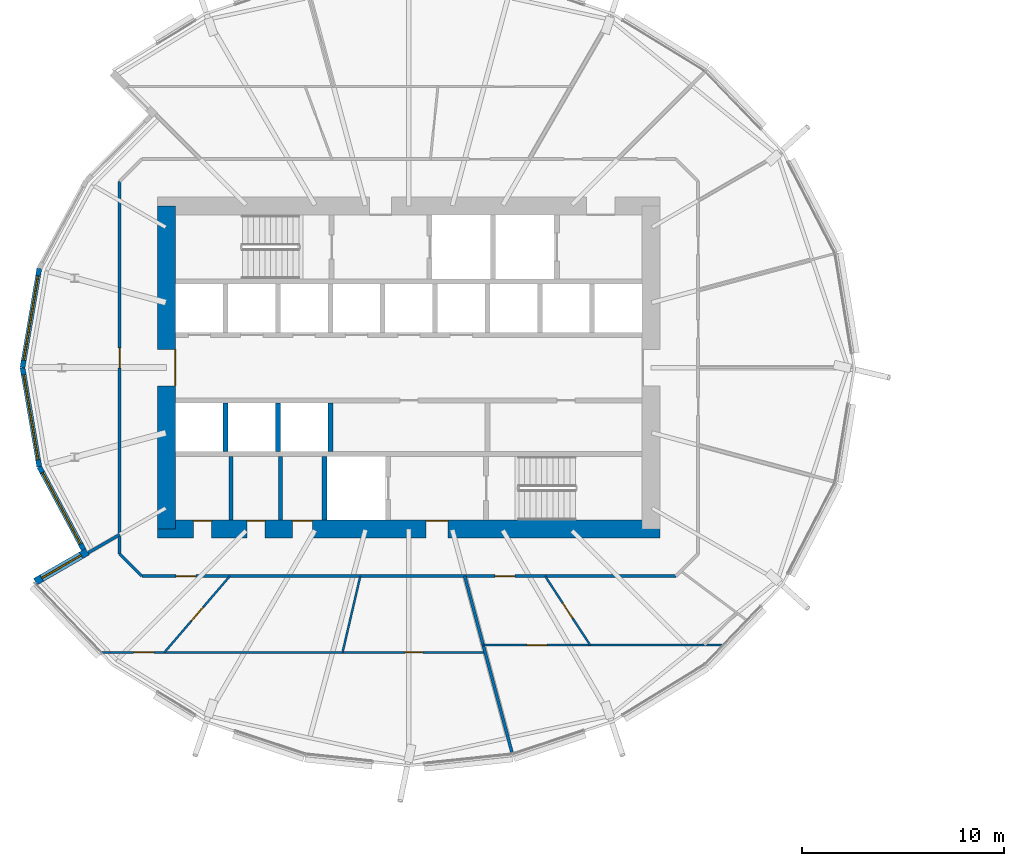
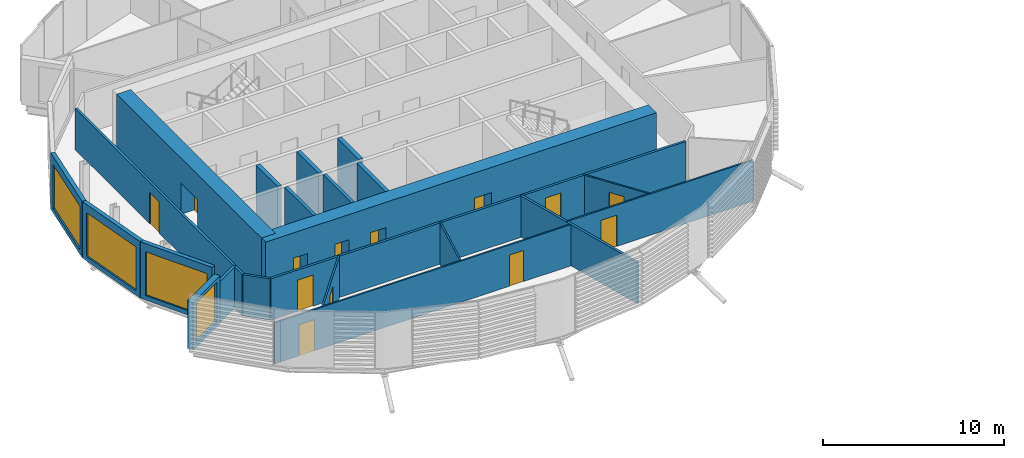
# One storey, part 19 of 36: 23 walls, 13 doors, 4 windows, 17 openings.
"""IFC4 building model written with IfcOpenShell, lengths in metres."""

from ifc_helpers import new_model, si_unit, direction, frame, frame_2d, origin, place, context, subcontext, project, spatial, rectangle, extrude, material, layer, layer_set, type_object, element, fill, save


model = new_model("IFC4")

# Units and contexts
model_context = context("Model", 3, precision=1e-05, world=origin(), true_north=direction((0.0, 1.0)))
body_context = subcontext(model_context, "Body", "Model", "MODEL_VIEW")
ifc_project = project(units=[si_unit("LENGTHUNIT", "METRE"), si_unit("AREAUNIT", "SQUARE_METRE"), si_unit("VOLUMEUNIT", "CUBIC_METRE"), si_unit("PLANEANGLEUNIT", "RADIAN"), si_unit("MASSUNIT", "GRAM", prefix="KILO")], contexts=[model_context])

# Site, building, storey
site_placement = place(None, origin())
site = spatial("IfcSite", under=ifc_project, at=site_placement, CompositionType="ELEMENT")
building_placement = place(site_placement, origin())
building = spatial("IfcBuilding", under=site, at=building_placement, Name="Rimbun Link Towers", CompositionType="ELEMENT")
storey_placement = place(building_placement, frame((0.0, 0.0, 33.800048828125)))
storey = spatial("IfcBuildingStorey", under=building, at=storey_placement, Name="L07", CompositionType="ELEMENT", Elevation=33.800048828125)

# Wall, opening, window
ifc_material_1 = material(Name="Dark enamelled glass spandrel on insulated aluminium backpan", Category="aluminium")
ifc_layer_1 = layer(ifc_material_1, 0.25)
ifc_layer_set_1 = layer_set([ifc_layer_1], Name="CS dark enamelled spandrel wall 250")
wall_type_1 = type_object("IfcWallType", Name="CS dark enamelled spandrel wall 250", PredefinedType="STANDARD", material=ifc_layer_set_1)
wall_1_placement = place(storey_placement, frame((-50.889404296875, 0.0, 0.0), z_axis=(0.0, 0.0, 1.0), x_axis=(0.167281745304, 0.985909132572, 0.0)))
wall_1 = element("IfcWall", 1, at=wall_1_placement, inside=storey, type_object=wall_type_1, Name="Crease spandrel wall", PredefinedType="STANDARD", context=body_context, shape_type="SweptSolid", body=[
    extrude(rectangle(XDim=4.984130859375, YDim=0.25, at=frame_2d((2.4921875, 0.0))), origin(), (0.0, 0.0, 1.0), 3.800048828125),
])
opening_1_placement = place(wall_1_placement, frame((0.366943359375, 0.0, 0.300048828125)))
opening_1 = element("IfcOpeningElement", 2, at=opening_1_placement, cuts=wall_1, Name="Opening WR42H295", PredefinedType="OPENING", context=body_context, shape_type="SweptSolid", body=[
    extrude(rectangle(XDim=4.25, YDim=2.949951171875, at=frame_2d((2.125, 1.47509765625))), frame((0.0, 0.135009765625, 0.0), z_axis=(0.0, -1.0, 0.0), x_axis=(1.0, 0.0, 0.0)), (0.0, 0.0, 1.0), 0.27001953125),
])
ifc_material_2 = material(Name="Aluminium framed fixed window, dark tinted low-e glass", Category="aluminium")
window_type_1 = type_object("IfcWindowType", Name="WR ribbon window 4250X2950", PartitioningType="SINGLE_PANEL", PredefinedType="WINDOW", material=ifc_material_2)
window_1_placement = place(opening_1_placement, origin())
window_1 = element("IfcWindow", 3, at=window_1_placement, inside=storey, type_object=window_type_1, Name="Crease ribbon window", OverallHeight=2.949951171875, OverallWidth=4.25, PartitioningType="SINGLE_PANEL", PredefinedType="WINDOW", context=body_context, shape_type="SweptSolid", body=[
    extrude(rectangle(XDim=4.25, YDim=2.949951171875, at=frame_2d((2.125, 1.47509765625))), frame((0.0, 0.030029296875, 0.0), z_axis=(0.0, -1.0, 0.0), x_axis=(1.0, 0.0, 0.0)), (0.0, 0.0, 1.0), 0.06005859375),
])
fill(opening_1, window_1)

wall_2_placement = place(storey_placement, frame((-50.0556640625, -4.913818359375, 0.0), z_axis=(0.0, 0.0, 1.0), x_axis=(-0.167281745304, 0.985909132572, 0.0)))
wall_2 = element("IfcWall", 4, at=wall_2_placement, inside=storey, type_object=wall_type_1, Name="Crease spandrel wall", PredefinedType="STANDARD", context=body_context, shape_type="SweptSolid", body=[
    extrude(rectangle(XDim=4.984130859375, YDim=0.25, at=frame_2d((2.4921875, 0.0))), origin(), (0.0, 0.0, 1.0), 3.800048828125),
])
opening_2_placement = place(wall_2_placement, frame((0.366943359375, 0.0, 0.300048828125)))
opening_2 = element("IfcOpeningElement", 5, at=opening_2_placement, cuts=wall_2, Name="Opening WR42H295", PredefinedType="OPENING", context=body_context, shape_type="SweptSolid", body=[
    extrude(rectangle(XDim=4.25, YDim=2.949951171875, at=frame_2d((2.125, 1.47509765625))), frame((0.0, 0.135009765625, 0.0), z_axis=(0.0, -1.0, 0.0), x_axis=(1.0, 0.0, 0.0)), (0.0, 0.0, 1.0), 0.27001953125),
])
window_2_placement = place(opening_2_placement, origin())
window_2 = element("IfcWindow", 6, at=window_2_placement, inside=storey, type_object=window_type_1, Name="Crease ribbon window", OverallHeight=2.949951171875, OverallWidth=4.25, PartitioningType="SINGLE_PANEL", PredefinedType="WINDOW", context=body_context, shape_type="SweptSolid", body=[
    extrude(rectangle(XDim=4.25, YDim=2.949951171875, at=frame_2d((2.125, 1.47509765625))), frame((0.0, 0.030029296875, 0.0), z_axis=(0.0, -1.0, 0.0), x_axis=(1.0, 0.0, 0.0)), (0.0, 0.0, 1.0), 0.06005859375),
])
fill(opening_2, window_2)

wall_3_placement = place(storey_placement, frame((-47.863037109375, -9.01416015625, 0.0), z_axis=(0.0, 0.0, 1.0), x_axis=(-0.471555405257, 0.881836435952, 0.0)))
wall_3 = element("IfcWall", 7, at=wall_3_placement, inside=storey, type_object=wall_type_1, Name="Crease spandrel wall", PredefinedType="STANDARD", context=body_context, shape_type="SweptSolid", body=[
    extrude(rectangle(XDim=4.649658203125, YDim=0.25, at=frame_2d((2.32470703125, 0.0))), origin(), (0.0, 0.0, 1.0), 3.800048828125),
])
opening_3_placement = place(wall_3_placement, frame((0.324951171875, 0.0, 0.300048828125)))
opening_3 = element("IfcOpeningElement", 8, at=opening_3_placement, cuts=wall_3, Name="Opening WR40H295", PredefinedType="OPENING", context=body_context, shape_type="SweptSolid", body=[
    extrude(rectangle(XDim=4.0, YDim=2.949951171875, at=frame_2d((2.0, 1.47509765625))), frame((0.0, 0.135009765625, 0.0), z_axis=(0.0, -1.0, 0.0), x_axis=(1.0, 0.0, 0.0)), (0.0, 0.0, 1.0), 0.27001953125),
])
ifc_material_3 = material(Name="Aluminium framed fixed window, dark tinted low-e glass", Category="aluminium")
window_type_2 = type_object("IfcWindowType", Name="WR ribbon window 4000X2950", PartitioningType="SINGLE_PANEL", PredefinedType="WINDOW", material=ifc_material_3)
window_3_placement = place(opening_3_placement, origin())
window_3 = element("IfcWindow", 9, at=window_3_placement, inside=storey, type_object=window_type_2, Name="Crease ribbon window", OverallHeight=2.949951171875, OverallWidth=4.0, PartitioningType="SINGLE_PANEL", PredefinedType="WINDOW", context=body_context, shape_type="SweptSolid", body=[
    extrude(rectangle(XDim=4.0, YDim=2.949951171875, at=frame_2d((2.0, 1.47509765625))), frame((0.0, 0.030029296875, 0.0), z_axis=(0.0, -1.0, 0.0), x_axis=(1.0, 0.0, 0.0)), (0.0, 0.0, 1.0), 0.06005859375),
])
fill(opening_3, window_3)

ifc_material_4 = material(Name="Dark enamelled glass spandrel on insulated aluminium backpan", Category="aluminium")
ifc_layer_2 = layer(ifc_material_4, 0.3701171875)
ifc_layer_set_2 = layer_set([ifc_layer_2], Name="CS dark enamelled spandrel wall 370")
wall_type_2 = type_object("IfcWallType", Name="CS dark enamelled spandrel wall 370", PredefinedType="STANDARD", material=ifc_layer_set_2)
wall_4_placement = place(storey_placement, frame((-50.25, -10.60595703125, 0.0), z_axis=(0.0, 0.0, 1.0), x_axis=(0.866031423615, 0.499989573202, 0.0)))
wall_4 = element("IfcWall", 10, at=wall_4_placement, inside=storey, type_object=wall_type_2, Name="Crease spandrel wall", PredefinedType="STANDARD", context=body_context, shape_type="SweptSolid", body=[
    extrude(rectangle(XDim=2.97998046875, YDim=0.3701171875, at=frame_2d((1.489990234375, 0.0))), origin(), (0.0, 0.0, 1.0), 3.2236328125),
])
opening_4_placement = place(wall_4_placement, frame((0.364990234375, 0.0, 0.300048828125)))
opening_4 = element("IfcOpeningElement", 11, at=opening_4_placement, cuts=wall_4, Name="Opening WR22H270", PredefinedType="OPENING", context=body_context, shape_type="SweptSolid", body=[
    extrude(rectangle(XDim=2.25, YDim=2.699951171875, at=frame_2d((1.125, 1.35009765625))), frame((0.0, 0.195068359375, 0.0), z_axis=(0.0, -1.0, 0.0), x_axis=(1.0, 0.0, 0.0)), (0.0, 0.0, 1.0), 0.39013671875),
])
ifc_material_5 = material(Name="Aluminium framed fixed window, dark tinted low-e glass", Category="aluminium")
window_type_3 = type_object("IfcWindowType", Name="WR ribbon window 2250X2700", PartitioningType="SINGLE_PANEL", PredefinedType="WINDOW", material=ifc_material_5)
window_4_placement = place(opening_4_placement, origin())
window_4 = element("IfcWindow", 12, at=window_4_placement, inside=storey, type_object=window_type_3, Name="Crease ribbon window", OverallHeight=2.699951171875, OverallWidth=2.25, PartitioningType="SINGLE_PANEL", PredefinedType="WINDOW", context=body_context, shape_type="SweptSolid", body=[
    extrude(rectangle(XDim=2.25, YDim=2.699951171875, at=frame_2d((1.125, 1.35009765625))), frame((0.0, 0.030029296875, 0.0), z_axis=(0.0, -1.0, 0.0), x_axis=(1.0, 0.0, 0.0)), (0.0, 0.0, 1.0), 0.06005859375),
])
fill(opening_4, window_4)

# Walls
ifc_material_6 = material(Name="Masonry blockwork", Category="masonry")
ifc_layer_3 = layer(ifc_material_6, 0.199951171875)
ifc_layer_set_3 = layer_set([ifc_layer_3], Name="Core partition 200")
wall_type_3 = type_object("IfcWallType", Name="Core partition 200", PredefinedType="PARTITIONING", material=ifc_layer_set_3)
for number, where, z_axis, x_axis, name in (
    (13, (-40.550048828125, -4.39990234375, 0.0), (0.0, 0.0, 1.0), (0.0, -1.0, 0.0), "L07 T1 core wall C1"),
    (14, (-38.10009765625, -4.39990234375, 0.0), (0.0, 0.0, 1.0), (0.0, -1.0, 0.0), "L07 T1 core wall C2"),
):
    element("IfcWall", number, at=place(storey_placement, frame(where, z_axis=z_axis, x_axis=x_axis)), inside=storey, type_object=wall_type_3, Name=name, PredefinedType="PARTITIONING", context=body_context, shape_type="SweptSolid", body=[
        extrude(rectangle(XDim=3.150146484375, YDim=0.199951171875, at=frame_2d((1.5751953125, 0.0))), origin(), (0.0, 0.0, 1.0), 3.800048828125),
    ])

# Wall, openings, doors
ifc_material_7 = material(Name="Concrete C60/75", Category="concrete")
ifc_layer_4 = layer(ifc_material_7, 0.89990234375)
ifc_layer_set_4 = layer_set([ifc_layer_4], Name="Core shear wall 900")
wall_type_4 = type_object("IfcWallType", Name="Core shear wall 900", PredefinedType="SHEAR", material=ifc_layer_set_4)
wall_5_placement = place(storey_placement, frame((-44.199951171875, -8.0, 0.0), z_axis=(0.0, 0.0, 1.0), x_axis=(1.0, 0.0, 0.0)))
wall_5 = element("IfcWall", 15, at=wall_5_placement, inside=storey, type_object=wall_type_4, Name="L07 T1 core wall S", PredefinedType="SHEAR", context=body_context, shape_type="SweptSolid", body=[
    extrude(rectangle(XDim=24.89990234375, YDim=0.89990234375, at=frame_2d((12.449951171875, 0.0))), origin(), (0.0, 0.0, 1.0), 3.800048828125),
])
opening_5_placement = place(wall_5_placement, frame((13.300048828125, 0.0, 0.0)))
opening_5 = element("IfcOpeningElement", 16, at=opening_5_placement, cuts=wall_5, Name="Opening C1DCF01S", PredefinedType="OPENING", context=body_context, shape_type="SweptSolid", body=[
    extrude(rectangle(XDim=1.10009765625, YDim=2.10009765625, at=frame_2d((0.550048828125, 1.050048828125))), frame((0.0, 0.4599609375, 0.0), z_axis=(0.0, -1.0, 0.0), x_axis=(1.0, 0.0, 0.0)), (0.0, 0.0, 1.0), 0.919921875),
])
opening_6_placement = place(wall_5_placement, frame((1.77490234375, 0.0, 0.0)))
opening_6 = element("IfcOpeningElement", 17, at=opening_6_placement, cuts=wall_5, Name="Opening C1DWC02S", PredefinedType="OPENING", context=body_context, shape_type="SweptSolid", body=[
    extrude(rectangle(XDim=0.89990234375, YDim=2.10009765625, at=frame_2d((0.449951171875, 1.050048828125))), frame((0.0, 0.4599609375, 0.0), z_axis=(0.0, -1.0, 0.0), x_axis=(1.0, 0.0, 0.0)), (0.0, 0.0, 1.0), 0.919921875),
])
opening_7_placement = place(wall_5_placement, frame((4.425048828125, 0.0, 0.0)))
opening_7 = element("IfcOpeningElement", 18, at=opening_7_placement, cuts=wall_5, Name="Opening C1DWC03S", PredefinedType="OPENING", context=body_context, shape_type="SweptSolid", body=[
    extrude(rectangle(XDim=0.89990234375, YDim=2.10009765625, at=frame_2d((0.449951171875, 1.050048828125))), frame((0.0, 0.4599609375, 0.0), z_axis=(0.0, -1.0, 0.0), x_axis=(1.0, 0.0, 0.0)), (0.0, 0.0, 1.0), 0.919921875),
])
opening_8_placement = place(wall_5_placement, frame((6.675048828125, 0.0, 0.0)))
opening_8 = element("IfcOpeningElement", 19, at=opening_8_placement, cuts=wall_5, Name="Opening C1DAW04S", PredefinedType="OPENING", context=body_context, shape_type="SweptSolid", body=[
    extrude(rectangle(XDim=1.0, YDim=2.10009765625, at=frame_2d((0.5, 1.050048828125))), frame((0.0, 0.4599609375, 0.0), z_axis=(0.0, -1.0, 0.0), x_axis=(1.0, 0.0, 0.0)), (0.0, 0.0, 1.0), 0.919921875),
])
ifc_material_8 = material(Name="Timber", Category="wood")
door_type_1 = type_object("IfcDoorType", Name="Accessible WC door", OperationType="SINGLE_SWING_LEFT", PredefinedType="DOOR", material=ifc_material_8)
door_1_placement = place(opening_8_placement, origin())
door_1 = element("IfcDoor", 20, at=door_1_placement, inside=storey, type_object=door_type_1, Name="L07 T1 accessible wc door", OperationType="SINGLE_SWING_RIGHT", OverallHeight=2.10009765625, OverallWidth=1.0, PredefinedType="DOOR", context=body_context, shape_type="SweptSolid", body=[
    extrude(rectangle(XDim=1.0, YDim=2.10009765625, at=frame_2d((0.5, 1.050048828125))), frame((0.0, 0.4501953125, 0.0), z_axis=(0.0, -1.0, 0.0), x_axis=(1.0, 0.0, 0.0)), (0.0, 0.0, 1.0), 0.050048828125),
])
fill(opening_8, door_1)
ifc_material_9 = material(Name="Steel fire door set", Category="steel")
door_type_2 = type_object("IfcDoorType", Name="Core fire door single", OperationType="SINGLE_SWING_LEFT", PredefinedType="DOOR", material=ifc_material_9)
door_2_placement = place(opening_5_placement, origin())
door_2 = element("IfcDoor", 21, at=door_2_placement, inside=storey, type_object=door_type_2, Name="L07 T1 firefighting lobby s door", OperationType="SINGLE_SWING_RIGHT", OverallHeight=2.10009765625, OverallWidth=1.10009765625, PredefinedType="DOOR", context=body_context, shape_type="SweptSolid", body=[
    extrude(rectangle(XDim=1.10009765625, YDim=2.10009765625, at=frame_2d((0.550048828125, 1.050048828125))), frame((0.0, 0.4501953125, 0.0), z_axis=(0.0, -1.0, 0.0), x_axis=(1.0, 0.0, 0.0)), (0.0, 0.0, 1.0), 0.050048828125),
])
fill(opening_5, door_2)
ifc_material_10 = material(Name="Timber", Category="wood")
door_type_3 = type_object("IfcDoorType", Name="WC door", OperationType="SINGLE_SWING_LEFT", PredefinedType="DOOR", material=ifc_material_10)
door_3_placement = place(opening_6_placement, origin())
door_3 = element("IfcDoor", 22, at=door_3_placement, inside=storey, type_object=door_type_3, Name="L07 T1 male wc door", OperationType="SINGLE_SWING_RIGHT", OverallHeight=2.10009765625, OverallWidth=0.89990234375, PredefinedType="DOOR", context=body_context, shape_type="SweptSolid", body=[
    extrude(rectangle(XDim=0.89990234375, YDim=2.10009765625, at=frame_2d((0.449951171875, 1.050048828125))), frame((0.0, 0.4501953125, 0.0), z_axis=(0.0, -1.0, 0.0), x_axis=(1.0, 0.0, 0.0)), (0.0, 0.0, 1.0), 0.050048828125),
])
fill(opening_6, door_3)
door_4_placement = place(opening_7_placement, origin())
door_4 = element("IfcDoor", 23, at=door_4_placement, inside=storey, type_object=door_type_3, Name="L07 T1 female wc door", OperationType="SINGLE_SWING_RIGHT", OverallHeight=2.10009765625, OverallWidth=0.89990234375, PredefinedType="DOOR", context=body_context, shape_type="SweptSolid", body=[
    extrude(rectangle(XDim=0.89990234375, YDim=2.10009765625, at=frame_2d((0.449951171875, 1.050048828125))), frame((0.0, 0.4501953125, 0.0), z_axis=(0.0, -1.0, 0.0), x_axis=(1.0, 0.0, 0.0)), (0.0, 0.0, 1.0), 0.050048828125),
])
fill(opening_7, door_4)

# Wall, opening, door
wall_6_placement = place(storey_placement, frame((-43.75, -8.0, 0.0), z_axis=(0.0, 0.0, 1.0), x_axis=(0.0, 1.0, 0.0)))
wall_6 = element("IfcWall", 24, at=wall_6_placement, inside=storey, type_object=wall_type_4, Name="L07 T1 core wall W", PredefinedType="SHEAR", context=body_context, shape_type="SweptSolid", body=[
    extrude(rectangle(XDim=16.0, YDim=0.89990234375, at=frame_2d((8.0, 0.0))), origin(), (0.0, 0.0, 1.0), 3.800048828125),
])
opening_9_placement = place(wall_6_placement, frame((7.10009765625, 0.0, 0.0)))
opening_9 = element("IfcOpeningElement", 25, at=opening_9_placement, cuts=wall_6, Name="Opening C1DCL01W", PredefinedType="OPENING", context=body_context, shape_type="SweptSolid", body=[
    extrude(rectangle(XDim=1.800048828125, YDim=2.10009765625, at=frame_2d((0.89990234375, 1.050048828125))), frame((0.0, 0.4599609375, 0.0), z_axis=(0.0, -1.0, 0.0), x_axis=(1.0, 0.0, 0.0)), (0.0, 0.0, 1.0), 0.919921875),
])
ifc_material_11 = material(Name="Steel fire door set", Category="steel")
door_type_4 = type_object("IfcDoorType", Name="Core lobby door double", OperationType="DOUBLE_DOOR_SINGLE_SWING", PredefinedType="DOOR", material=ifc_material_11)
door_5_placement = place(opening_9_placement, origin())
door_5 = element("IfcDoor", 26, at=door_5_placement, inside=storey, type_object=door_type_4, Name="L07 T1 lift lobby door", OperationType="DOUBLE_DOOR_SINGLE_SWING", OverallHeight=2.10009765625, OverallWidth=1.800048828125, PredefinedType="DOOR", context=body_context, shape_type="SweptSolid", body=[
    extrude(rectangle(XDim=1.800048828125, YDim=2.10009765625, at=frame_2d((0.89990234375, 1.050048828125))), frame((0.0, -0.39990234375, 0.0), z_axis=(0.0, -1.0, 0.0), x_axis=(1.0, 0.0, 0.0)), (0.0, 0.0, 1.0), 0.050048828125),
])
fill(opening_9, door_5)

# Wall, openings, doors
ifc_material_12 = material(Name="Plasterboard on steel stud, mineral wool", Category="steel")
ifc_layer_5 = layer(ifc_material_12, 0.14990234375)
ifc_layer_set_5 = layer_set([ifc_layer_5], Name="Corridor wall EI 30 150 mm")
wall_type_5 = type_object("IfcWallType", Name="Corridor wall EI 30 150 mm", PredefinedType="PARTITIONING", material=ifc_layer_set_5)
wall_7_placement = place(storey_placement, frame((-18.523193359375, -10.324951171875, 0.0), z_axis=(0.0, 0.0, 1.0), x_axis=(-1.0, 0.0, 0.0)))
wall_7 = element("IfcWall", 27, at=wall_7_placement, inside=storey, type_object=wall_type_5, Name="Corridor wall EI 30 150 mm", PredefinedType="PARTITIONING", context=body_context, shape_type="SweptSolid", body=[
    extrude(rectangle(XDim=26.45361328125, YDim=0.14990234375, at=frame_2d((13.226806640625, 0.0))), origin(), (0.0, 0.0, 1.0), 2.779052734375),
])
opening_10_placement = place(wall_7_placement, frame((23.77294921875, 0.0, 0.0)))
opening_10 = element("IfcOpeningElement", 28, at=opening_10_placement, cuts=wall_7, Name="Opening D01", PredefinedType="OPENING", context=body_context, shape_type="SweptSolid", body=[
    extrude(rectangle(XDim=1.0, YDim=2.10009765625, at=frame_2d((0.5, 1.050048828125))), frame((0.0, 0.0849609375, 0.0), z_axis=(0.0, -1.0, 0.0), x_axis=(1.0, 0.0, 0.0)), (0.0, 0.0, 1.0), 0.169921875),
])
opening_11_placement = place(wall_7_placement, frame((7.9697265625, 0.0, 0.0)))
opening_11 = element("IfcOpeningElement", 29, at=opening_11_placement, cuts=wall_7, Name="Opening D01", PredefinedType="OPENING", context=body_context, shape_type="SweptSolid", body=[
    extrude(rectangle(XDim=1.0, YDim=2.10009765625, at=frame_2d((0.5, 1.050048828125))), frame((0.0, 0.0849609375, 0.0), z_axis=(0.0, -1.0, 0.0), x_axis=(1.0, 0.0, 0.0)), (0.0, 0.0, 1.0), 0.169921875),
])
ifc_material_13 = material(Name="Fire-resisting timber door leaf", Category="wood")
door_type_5 = type_object("IfcDoorType", Name="Fire door FD30S 1000", OperationType="NOTDEFINED", PredefinedType="DOOR", material=ifc_material_13)
door_6_placement = place(opening_10_placement, origin())
door_6 = element("IfcDoor", 30, at=door_6_placement, inside=storey, type_object=door_type_5, Name="Fire door FD30S 1000 to Customer lobby", OperationType="SINGLE_SWING_LEFT", OverallHeight=2.10009765625, OverallWidth=1.0, PredefinedType="DOOR", context=body_context, shape_type="SweptSolid", body=[
    extrude(rectangle(XDim=1.0, YDim=2.10009765625, at=frame_2d((0.5, 1.050048828125))), frame((0.0, 0.02490234375, 0.0), z_axis=(0.0, -1.0, 0.0), x_axis=(1.0, 0.0, 0.0)), (0.0, 0.0, 1.0), 0.050048828125),
])
fill(opening_10, door_6)
door_7_placement = place(opening_11_placement, origin())
door_7 = element("IfcDoor", 31, at=door_7_placement, inside=storey, type_object=door_type_5, Name="Fire door FD30S 1000 to Reception", OperationType="SINGLE_SWING_RIGHT", OverallHeight=2.10009765625, OverallWidth=1.0, PredefinedType="DOOR", context=body_context, shape_type="SweptSolid", body=[
    extrude(rectangle(XDim=1.0, YDim=2.10009765625, at=frame_2d((0.5, 1.050048828125))), frame((0.0, 0.02490234375, 0.0), z_axis=(0.0, -1.0, 0.0), x_axis=(1.0, 0.0, 0.0)), (0.0, 0.0, 1.0), 0.050048828125),
])
fill(opening_11, door_7)

# Wall
wall_8_placement = place(storey_placement, frame((-46.074951171875, -9.226806640625, 0.0), z_axis=(0.0, 0.0, 1.0), x_axis=(0.707106781187, -0.707106781187, 0.0)))
element("IfcWall", 32, at=wall_8_placement, inside=storey, type_object=wall_type_5, Name="Corridor wall EI 30 150 mm", PredefinedType="PARTITIONING", context=body_context, shape_type="SweptSolid", body=[
    extrude(rectangle(XDim=1.552978515625, YDim=0.14990234375, at=frame_2d((0.7763671875, 0.0))), origin(), (0.0, 0.0, 1.0), 2.779052734375),
])

# Wall, opening, door
wall_9_placement = place(storey_placement, frame((-46.074951171875, -9.226806640625, 0.0), z_axis=(0.0, 0.0, 1.0), x_axis=(0.0, 1.0, 0.0)))
wall_9 = element("IfcWall", 33, at=wall_9_placement, inside=storey, type_object=wall_type_5, Name="Corridor wall EI 30 150 mm", PredefinedType="PARTITIONING", context=body_context, shape_type="SweptSolid", body=[
    extrude(rectangle(XDim=18.45361328125, YDim=0.14990234375, at=frame_2d((9.226806640625, 0.0))), origin(), (0.0, 0.0, 1.0), 2.779052734375),
])
opening_12_placement = place(wall_9_placement, frame((9.204833984375, 0.0, 0.0)))
opening_12 = element("IfcOpeningElement", 34, at=opening_12_placement, cuts=wall_9, Name="Opening D01", PredefinedType="OPENING", context=body_context, shape_type="SweptSolid", body=[
    extrude(rectangle(XDim=1.0, YDim=2.10009765625, at=frame_2d((0.5, 1.050048828125))), frame((0.0, 0.0849609375, 0.0), z_axis=(0.0, -1.0, 0.0), x_axis=(1.0, 0.0, 0.0)), (0.0, 0.0, 1.0), 0.169921875),
])
door_8_placement = place(opening_12_placement, origin())
door_8 = element("IfcDoor", 35, at=door_8_placement, inside=storey, type_object=door_type_5, Name="Fire door FD30S 1000 to Terrace office", OperationType="SINGLE_SWING_LEFT", OverallHeight=2.10009765625, OverallWidth=1.0, PredefinedType="DOOR", context=body_context, shape_type="SweptSolid", body=[
    extrude(rectangle(XDim=1.0, YDim=2.10009765625, at=frame_2d((0.5, 1.050048828125))), frame((0.0, 0.02490234375, 0.0), z_axis=(0.0, -1.0, 0.0), x_axis=(1.0, 0.0, 0.0)), (0.0, 0.0, 1.0), 0.050048828125),
])
fill(opening_12, door_8)

ifc_material_14 = material(Name="Plasterboard on steel stud", Category="steel")
ifc_layer_6 = layer(ifc_material_14, 0.10009765625)
ifc_layer_set_6 = layer_set([ifc_layer_6], Name="Plasterboard partition 100 mm")
wall_type_6 = type_object("IfcWallType", Name="Plasterboard partition 100 mm", PredefinedType="PARTITIONING", material=ifc_layer_set_6)
wall_10_placement = place(storey_placement, frame((-40.615966796875, -10.324951171875, 0.0), z_axis=(0.0, 0.0, 1.0), x_axis=(-0.651465021592, -0.758678670876, 0.0)))
wall_10 = element("IfcWall", 36, at=wall_10_placement, inside=storey, type_object=wall_type_6, Name="Plasterboard partition 100 mm", PredefinedType="PARTITIONING", context=body_context, shape_type="SweptSolid", body=[
    extrude(rectangle(XDim=4.982421875, YDim=0.10009765625, at=frame_2d((2.4912109375, 0.0))), origin(), (0.0, 0.0, 1.0), 2.779052734375),
])
opening_13_placement = place(wall_10_placement, frame((2.041015625, 0.0, 0.0)))
opening_13 = element("IfcOpeningElement", 37, at=opening_13_placement, cuts=wall_10, Name="Opening D04", PredefinedType="OPENING", context=body_context, shape_type="SweptSolid", body=[
    extrude(rectangle(XDim=0.89990234375, YDim=2.10009765625, at=frame_2d((0.449951171875, 1.050048828125))), frame((0.0, 0.06005859375, 0.0), z_axis=(0.0, -1.0, 0.0), x_axis=(1.0, 0.0, 0.0)), (0.0, 0.0, 1.0), 0.1201171875),
])
ifc_material_15 = material(Name="Timber door leaf", Category="wood")
door_type_6 = type_object("IfcDoorType", Name="Flush door 900", OperationType="NOTDEFINED", PredefinedType="DOOR", material=ifc_material_15)
door_9_placement = place(opening_13_placement, origin())
door_9 = element("IfcDoor", 38, at=door_9_placement, inside=storey, type_object=door_type_6, Name="Flush door 900 to Interview room", OperationType="SINGLE_SWING_RIGHT", OverallHeight=2.10009765625, OverallWidth=0.89990234375, PredefinedType="DOOR", context=body_context, shape_type="SweptSolid", body=[
    extrude(rectangle(XDim=0.89990234375, YDim=2.10009765625, at=frame_2d((0.449951171875, 1.050048828125))), frame((0.0, 0.02490234375, 0.0), z_axis=(0.0, -1.0, 0.0), x_axis=(1.0, 0.0, 0.0)), (0.0, 0.0, 1.0), 0.050048828125),
])
fill(opening_13, door_9)

# Wall, openings, doors
wall_11_placement = place(storey_placement, frame((-27.970703125, -14.10498046875, 0.0), z_axis=(0.0, 0.0, 1.0), x_axis=(-1.0, 0.0, 0.0)))
wall_11 = element("IfcWall", 39, at=wall_11_placement, inside=storey, type_object=wall_type_6, Name="Plasterboard partition 100 mm", PredefinedType="PARTITIONING", context=body_context, shape_type="SweptSolid", body=[
    extrude(rectangle(XDim=18.57177734375, YDim=0.10009765625, at=frame_2d((9.285888671875, 0.0))), origin(), (0.0, 0.0, 1.0), 2.779052734375),
])
opening_14_placement = place(wall_11_placement, frame((16.41162109375, 0.0, 0.0)))
opening_14 = element("IfcOpeningElement", 40, at=opening_14_placement, cuts=wall_11, Name="Opening D03", PredefinedType="OPENING", context=body_context, shape_type="SweptSolid", body=[
    extrude(rectangle(XDim=1.0, YDim=2.10009765625, at=frame_2d((0.5, 1.050048828125))), frame((0.0, 0.06005859375, 0.0), z_axis=(0.0, -1.0, 0.0), x_axis=(1.0, 0.0, 0.0)), (0.0, 0.0, 1.0), 0.1201171875),
])
opening_15_placement = place(wall_11_placement, frame((3.082275390625, 0.0, 0.0)))
opening_15 = element("IfcOpeningElement", 41, at=opening_15_placement, cuts=wall_11, Name="Opening D04", PredefinedType="OPENING", context=body_context, shape_type="SweptSolid", body=[
    extrude(rectangle(XDim=0.89990234375, YDim=2.10009765625, at=frame_2d((0.449951171875, 1.050048828125))), frame((0.0, 0.06005859375, 0.0), z_axis=(0.0, -1.0, 0.0), x_axis=(1.0, 0.0, 0.0)), (0.0, 0.0, 1.0), 0.1201171875),
])
ifc_material_16 = material(Name="Timber door leaf", Category="wood")
door_type_7 = type_object("IfcDoorType", Name="Flush door 1000", OperationType="NOTDEFINED", PredefinedType="DOOR", material=ifc_material_16)
door_10_placement = place(opening_14_placement, origin())
door_10 = element("IfcDoor", 42, at=door_10_placement, inside=storey, type_object=door_type_7, Name="Flush door 1000 to Banking hall", OperationType="SINGLE_SWING_LEFT", OverallHeight=2.10009765625, OverallWidth=1.0, PredefinedType="DOOR", context=body_context, shape_type="SweptSolid", body=[
    extrude(rectangle(XDim=1.0, YDim=2.10009765625, at=frame_2d((0.5, 1.050048828125))), frame((0.0, 0.02490234375, 0.0), z_axis=(0.0, -1.0, 0.0), x_axis=(1.0, 0.0, 0.0)), (0.0, 0.0, 1.0), 0.050048828125),
])
fill(opening_14, door_10)
door_11_placement = place(opening_15_placement, origin())
door_11 = element("IfcDoor", 43, at=door_11_placement, inside=storey, type_object=door_type_6, Name="Flush door 900 to Strong room", OperationType="SINGLE_SWING_LEFT", OverallHeight=2.10009765625, OverallWidth=0.89990234375, PredefinedType="DOOR", context=body_context, shape_type="SweptSolid", body=[
    extrude(rectangle(XDim=0.89990234375, YDim=2.10009765625, at=frame_2d((0.449951171875, 1.050048828125))), frame((0.0, 0.02490234375, 0.0), z_axis=(0.0, -1.0, 0.0), x_axis=(1.0, 0.0, 0.0)), (0.0, 0.0, 1.0), 0.050048828125),
])
fill(opening_15, door_11)

# Walls
wall_12_placement = place(storey_placement, frame((-46.943603515625, -14.10498046875, 0.0), z_axis=(0.0, 0.0, 1.0), x_axis=(1.0, 0.0, 0.0)))
element("IfcWall", 44, at=wall_12_placement, inside=storey, type_object=wall_type_6, Name="Plasterboard partition 100 mm", PredefinedType="PARTITIONING", context=body_context, shape_type="SweptSolid", body=[
    extrude(rectangle(XDim=0.401123046875, YDim=0.10009765625, at=frame_2d((0.20068359375, 0.0))), origin(), (0.0, 0.0, 1.0), 2.779052734375),
])
wall_13_placement = place(storey_placement, frame((-35.034912109375, -14.10498046875, 0.0), z_axis=(0.0, 0.0, 1.0), x_axis=(0.226829904255, 0.973934389236, 0.0)))
element("IfcWall", 45, at=wall_13_placement, inside=storey, type_object=wall_type_6, Name="Plasterboard partition 100 mm", PredefinedType="PARTITIONING", context=body_context, shape_type="SweptSolid", body=[
    extrude(rectangle(XDim=3.881103515625, YDim=0.10009765625, at=frame_2d((1.9404296875, 0.0))), origin(), (0.0, 0.0, 1.0), 2.779052734375),
])

# Wall, opening, door
wall_14_placement = place(storey_placement, frame((-25.002685546875, -10.324951171875, 0.0), z_axis=(0.0, 0.0, 1.0), x_axis=(0.547051322279, -0.837099068685, 0.0)))
wall_14 = element("IfcWall", 46, at=wall_14_placement, inside=storey, type_object=wall_type_6, Name="Plasterboard partition 100 mm", PredefinedType="PARTITIONING", context=body_context, shape_type="SweptSolid", body=[
    extrude(rectangle(XDim=4.085693359375, YDim=0.10009765625, at=frame_2d((2.04296875, 0.0))), origin(), (0.0, 0.0, 1.0), 2.779052734375),
])
opening_16_placement = place(wall_14_placement, frame((1.5927734375, 0.0, 0.0)))
opening_16 = element("IfcOpeningElement", 47, at=opening_16_placement, cuts=wall_14, Name="Opening D04", PredefinedType="OPENING", context=body_context, shape_type="SweptSolid", body=[
    extrude(rectangle(XDim=0.89990234375, YDim=2.10009765625, at=frame_2d((0.449951171875, 1.050048828125))), frame((0.0, 0.06005859375, 0.0), z_axis=(0.0, -1.0, 0.0), x_axis=(1.0, 0.0, 0.0)), (0.0, 0.0, 1.0), 0.1201171875),
])
door_12_placement = place(opening_16_placement, origin())
door_12 = element("IfcDoor", 48, at=door_12_placement, inside=storey, type_object=door_type_6, Name="Flush door 900 to Meeting room", OperationType="SINGLE_SWING_RIGHT", OverallHeight=2.10009765625, OverallWidth=0.89990234375, PredefinedType="DOOR", context=body_context, shape_type="SweptSolid", body=[
    extrude(rectangle(XDim=0.89990234375, YDim=2.10009765625, at=frame_2d((0.449951171875, 1.050048828125))), frame((0.0, 0.02490234375, 0.0), z_axis=(0.0, -1.0, 0.0), x_axis=(1.0, 0.0, 0.0)), (0.0, 0.0, 1.0), 0.050048828125),
])
fill(opening_16, door_12)

wall_15_placement = place(storey_placement, frame((-16.1962890625, -13.7451171875, 0.0), z_axis=(0.0, 0.0, 1.0), x_axis=(-1.0, 0.0, 0.0)))
wall_15 = element("IfcWall", 49, at=wall_15_placement, inside=storey, type_object=wall_type_6, Name="Plasterboard partition 100 mm", PredefinedType="PARTITIONING", context=body_context, shape_type="SweptSolid", body=[
    extrude(rectangle(XDim=11.87060546875, YDim=0.10009765625, at=frame_2d((5.935302734375, 0.0))), origin(), (0.0, 0.0, 1.0), 2.779052734375),
])
opening_17_placement = place(wall_15_placement, frame((8.706298828125, 0.0, 0.0)))
opening_17 = element("IfcOpeningElement", 50, at=opening_17_placement, cuts=wall_15, Name="Opening D03", PredefinedType="OPENING", context=body_context, shape_type="SweptSolid", body=[
    extrude(rectangle(XDim=1.0, YDim=2.10009765625, at=frame_2d((0.5, 1.050048828125))), frame((0.0, 0.06005859375, 0.0), z_axis=(0.0, -1.0, 0.0), x_axis=(1.0, 0.0, 0.0)), (0.0, 0.0, 1.0), 0.1201171875),
])
door_13_placement = place(opening_17_placement, origin())
door_13 = element("IfcDoor", 51, at=door_13_placement, inside=storey, type_object=door_type_7, Name="Flush door 1000 to Open office", OperationType="SINGLE_SWING_LEFT", OverallHeight=2.10009765625, OverallWidth=1.0, PredefinedType="DOOR", context=body_context, shape_type="SweptSolid", body=[
    extrude(rectangle(XDim=1.0, YDim=2.10009765625, at=frame_2d((0.5, 1.050048828125))), frame((0.0, 0.02490234375, 0.0), z_axis=(0.0, -1.0, 0.0), x_axis=(1.0, 0.0, 0.0)), (0.0, 0.0, 1.0), 0.050048828125),
])
fill(opening_17, door_13)

# Walls
ifc_material_17 = material(Name="Concrete C60/75", Category="concrete")
ifc_layer_7 = layer(ifc_material_17, 0.25)
ifc_layer_set_7 = layer_set([ifc_layer_7], Name="Shaft wall 250")
wall_type_7 = type_object("IfcWallType", Name="Shaft wall 250", PredefinedType="SHEAR", material=ifc_layer_set_7)
for number, where, z_axis, x_axis, name in (
    (52, (-40.83056640625, -4.14990234375, 0.0), (0.0, 0.0, 1.0), (0.0, 1.0, 0.0), "L07 T1 core wall DS0"),
    (53, (-38.236083984375, -4.14990234375, 0.0), (0.0, 0.0, 1.0), (0.0, 1.0, 0.0), "L07 T1 core wall DS1"),
    (54, (-35.6416015625, -4.14990234375, 0.0), (0.0, 0.0, 1.0), (0.0, 1.0, 0.0), "L07 T1 core wall DS2"),
):
    element("IfcWall", number, at=place(storey_placement, frame(where, z_axis=z_axis, x_axis=x_axis)), inside=storey, type_object=wall_type_7, Name=name, PredefinedType="SHEAR", context=body_context, shape_type="SweptSolid", body=[
        extrude(rectangle(XDim=2.39990234375, YDim=0.25, at=frame_2d((1.199951171875, 0.0))), origin(), (0.0, 0.0, 1.0), 3.800048828125),
    ])
wall_16_placement = place(storey_placement, frame((-35.925048828125, -4.39990234375, 0.0), z_axis=(0.0, 0.0, 1.0), x_axis=(0.0, -1.0, 0.0)))
element("IfcWall", 55, at=wall_16_placement, inside=storey, type_object=wall_type_7, Name="L07 T1 core wall B3", PredefinedType="SHEAR", context=body_context, shape_type="SweptSolid", body=[
    extrude(rectangle(XDim=3.150146484375, YDim=0.25, at=frame_2d((1.5751953125, 0.0))), origin(), (0.0, 0.0, 1.0), 3.800048828125),
])
ifc_material_18 = material(Name="Plasterboard on steel stud, mineral wool", Category="steel")
ifc_layer_8 = layer(ifc_material_18, 0.14990234375)
ifc_layer_set_8 = layer_set([ifc_layer_8], Name="Tenancy separation wall EI 60 150 mm")
wall_type_8 = type_object("IfcWallType", Name="Tenancy separation wall EI 60 150 mm", PredefinedType="PARTITIONING", material=ifc_layer_set_8)
wall_17_placement = place(storey_placement, frame((-46.074951171875, -8.2705078125, 0.0), z_axis=(0.0, 0.0, 1.0), x_axis=(-0.866043556948, -0.499968556481, 0.0)))
element("IfcWall", 56, at=wall_17_placement, inside=storey, type_object=wall_type_8, Name="Tenancy separation wall EI 60 150 mm", PredefinedType="PARTITIONING", context=body_context, shape_type="SweptSolid", body=[
    extrude(rectangle(XDim=1.80322265625, YDim=0.14990234375, at=frame_2d((0.901611328125, 0.0))), origin(), (0.0, 0.0, 1.0), 2.779052734375),
])
wall_18_placement = place(storey_placement, frame((-28.9833984375, -10.324951171875, 0.0), z_axis=(0.0, 0.0, 1.0), x_axis=(0.258819676528, -0.965925657099, 0.0)))
element("IfcWall", 57, at=wall_18_placement, inside=storey, type_object=wall_type_8, Name="Tenancy separation wall EI 60 150 mm", PredefinedType="PARTITIONING", context=body_context, shape_type="SweptSolid", body=[
    extrude(rectangle(XDim=9.099853515625, YDim=0.14990234375, at=frame_2d((4.5498046875, 0.0))), origin(), (0.0, 0.0, 1.0), 2.779052734375),
])

save(model, "model.ifc")
